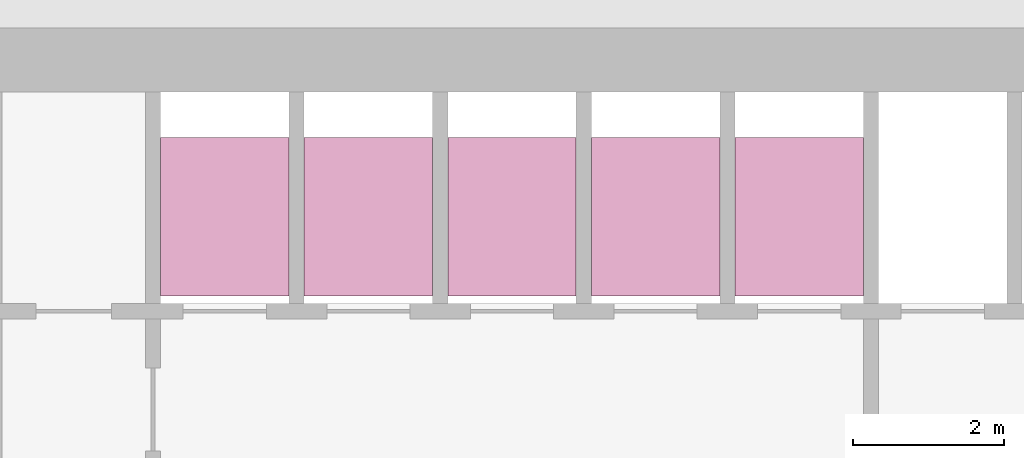
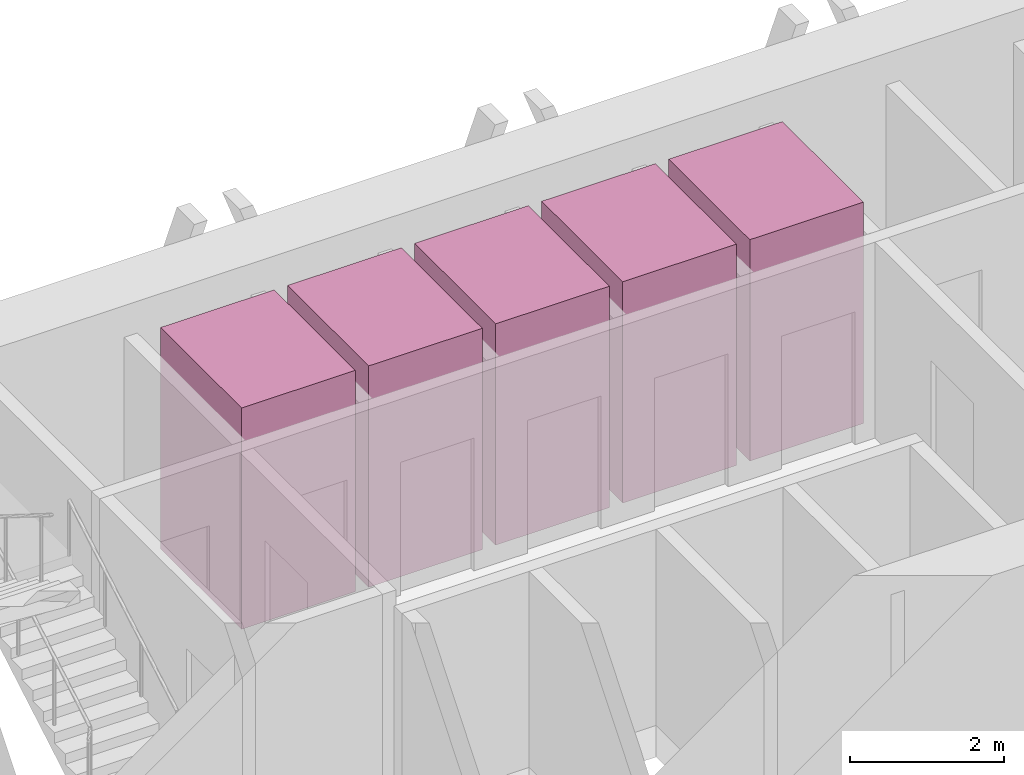
# One storey, part 23 of 23: 5 transport elements.
"""IFC4 building model written with IfcOpenShell, lengths in metres."""

import ifcopenshell
import ifcopenshell.guid

model = None  # the IFC model being written
_history = None  # IfcOwnerHistory: only IFC2X3 demands one
_inside = {}  # id of a spatial element -> (the spatial element, [elements in it])
_under = {}  # id of a project, library or spatial element -> (it, [spatial elements below it])
_declared = {}  # id of a project -> (the project, [libraries it declares])
_typed = {}  # id of a type object -> (the type object, [elements of that type])
_made_of = {}  # id of a material, layer set ... -> (it, [elements and type objects made of it])


def new_model(schema):
    """Start an empty IFC model of exactly this schema.

    Asked for "IFC4X3", IfcOpenShell would pick the latest addendum, in which some entities
    have other attributes; the version numbers below select the first issue.
    IFC2X3 requires an IfcOwnerHistory on every rooted entity: one is made here for all.
    """
    global model, _history
    if schema == "IFC4X3":
        model = ifcopenshell.file(schema_version=(4, 3, 0, 0))
    else:
        model = ifcopenshell.file(schema=schema)
    _inside.clear()
    _under.clear()
    _declared.clear()
    _typed.clear()
    _made_of.clear()
    _history = None
    if model.schema == "IFC2X3":
        org = make("IfcOrganization", Name="unknown")
        user = make(
            "IfcPersonAndOrganization",
            ThePerson=make("IfcPerson", FamilyName="unknown"),
            TheOrganization=org,
        )
        app = make(
            "IfcApplication",
            ApplicationDeveloper=org,
            Version="unknown",
            ApplicationFullName="unknown",
            ApplicationIdentifier="unknown",
        )
        _history = make(
            "IfcOwnerHistory",
            OwningUser=user,
            OwningApplication=app,
            ChangeAction="ADDED",
            CreationDate=0,
        )
    return model


def make(cls, **values):
    """One entity of the class cls with the attributes given. An attribute that is None is left unset."""
    return model.create_entity(
        cls, **{name: value for name, value in values.items() if value is not None}
    )


def rooted(cls, **values):
    """An entity with a GlobalId (a new one), such as an element, a storey or a relation."""
    return make(cls, GlobalId=ifcopenshell.guid.new(), OwnerHistory=_history, **values)


def si_unit(unit_type, name, prefix=None):
    """IfcSIUnit, for example si_unit("LENGTHUNIT", "METRE", prefix="MILLI")."""
    return make("IfcSIUnit", UnitType=unit_type, Prefix=prefix, Name=name)


def assignment(units):
    """IfcUnitAssignment: the units of a project."""
    return None if units is None else make("IfcUnitAssignment", Units=units)


def point(xyz):
    """IfcCartesianPoint."""
    return None if xyz is None else make("IfcCartesianPoint", Coordinates=xyz)


def direction(xyz):
    """IfcDirection."""
    return None if xyz is None else make("IfcDirection", DirectionRatios=xyz)


def frame(location, z_axis=None, x_axis=None):
    """IfcAxis2Placement3D, a coordinate frame: its origin and axes. An axis left out is left unset."""
    return make(
        "IfcAxis2Placement3D",
        Location=point(location),
        Axis=direction(z_axis),
        RefDirection=direction(x_axis),
    )


def frame_2d(location, x_axis=None):
    """IfcAxis2Placement2D, a coordinate frame in the plane: its origin and x axis."""
    return make(
        "IfcAxis2Placement2D", Location=point(location), RefDirection=direction(x_axis)
    )


def origin():
    """The frame at (0, 0, 0) with its axes left unset."""
    return frame((0.0, 0.0, 0.0))


def origin_2d():
    """The frame at (0, 0) in the plane with its x axis left unset."""
    return frame_2d((0.0, 0.0))


def place(relative_to, where):
    """IfcLocalPlacement: puts the frame where relative to a parent placement (None: the world)."""
    return make(
        "IfcLocalPlacement", PlacementRelTo=relative_to, RelativePlacement=where
    )


def context(
    kind, dimensions, precision=None, world=None, true_north=None, identifier=None
):
    """IfcGeometricRepresentationContext, for example the 3D "Model" context."""
    return make(
        "IfcGeometricRepresentationContext",
        ContextIdentifier=identifier,
        ContextType=kind,
        CoordinateSpaceDimension=dimensions,
        Precision=precision,
        WorldCoordinateSystem=world,
        TrueNorth=true_north,
    )


def subcontext(parent, identifier, kind, view, scale=None):
    """IfcGeometricRepresentationSubContext, for example "Body" below "Model"."""
    return make(
        "IfcGeometricRepresentationSubContext",
        ContextIdentifier=identifier,
        ContextType=kind,
        ParentContext=parent,
        TargetScale=scale,
        TargetView=view,
    )


def project(units=None, contexts=None):
    """IfcProject with its units and contexts."""
    return rooted(
        "IfcProject",
        Name="project",
        RepresentationContexts=contexts,
        UnitsInContext=assignment(units),
    )


def spatial(cls, under=None, at=None, **own):
    """A site, building, storey or space (cls), placed at a placement, below another one or the project."""
    s = rooted(cls, ObjectPlacement=at, **own)
    if under is not None:
        _under.setdefault(under.id(), (under, []))[1].append(s)
    return s


def profile(cls, at=None, kind="AREA", **sizes):
    """A parametric profile (cls). Its sizes go by their IFC names, for example OverallWidth=200.0."""
    return make(cls, ProfileType=kind, Position=at, **sizes)


def rectangle(**sizes):
    """IfcRectangleProfileDef."""
    return profile("IfcRectangleProfileDef", **sizes)


def extrude(swept, where, along, depth):
    """IfcExtrudedAreaSolid: the profile swept, set in the frame where, extruded along a direction by depth."""
    return make(
        "IfcExtrudedAreaSolid",
        SweptArea=swept,
        Position=where,
        ExtrudedDirection=direction(along),
        Depth=depth,
    )


def shape(context_of_items, identifier, shape_type, items):
    """IfcShapeRepresentation: the items that make up one representation, for example the "Body"."""
    return make(
        "IfcShapeRepresentation",
        ContextOfItems=context_of_items,
        RepresentationIdentifier=identifier,
        RepresentationType=shape_type,
        Items=items,
    )


def material(Name=None, Category=None):
    """IfcMaterial."""
    return make("IfcMaterial", Name=Name, Category=Category)


def made_of(thing, what):
    """Note that an element or type object is made of a material, layer set ...; save() writes the relation."""
    if what is not None:
        _made_of.setdefault(what.id(), (what, []))[1].append(thing)
    return thing


def type_object(cls, material=None, **own):
    """A type object (cls), such as IfcWallType, which elements share."""
    return made_of(rooted(cls, **own), material)


def element(
    cls,
    number,
    at=None,
    inside=None,
    cuts=None,
    type_object=None,
    material=None,
    context=None,
    identifier="Body",
    shape_type=None,
    held_by="IfcProductDefinitionShape",
    body=None,
    shapes=None,
    **own,
):
    """One element of the class cls, such as IfcWall. Its Tag is "e" and its number.

    at: its placement. inside: the storey or other place that contains it. cuts: it is an
    opening in that element (IfcRelVoidsElement). A single representation is given by context,
    identifier, shape_type and body (its items); several are given by shapes. held_by: the class
    of the entity that holds the representations. save() writes the other relations.
    """
    e = rooted(cls, Tag="e%d" % number, ObjectPlacement=at, **own)
    if body is not None:
        shapes = [shape(context, identifier, shape_type, body)]
    if shapes is not None:
        e.Representation = make(held_by, Representations=shapes)
    if inside is not None:
        _inside.setdefault(inside.id(), (inside, []))[1].append(e)
    if cuts is not None:
        rooted(
            "IfcRelVoidsElement", RelatingBuildingElement=cuts, RelatedOpeningElement=e
        )
    if type_object is not None:
        _typed.setdefault(type_object.id(), (type_object, []))[1].append(e)
    return made_of(e, material)


def aggregate(whole, parts):
    """IfcRelAggregates: a whole, such as a stair, and the parts it consists of."""
    return rooted("IfcRelAggregates", RelatingObject=whole, RelatedObjects=parts)


def save(model, path):
    """Write the relations noted so far, then the file.

    IfcRelAggregates (storeys below a building ...), IfcRelContainedInSpatialStructure (elements
    in a storey), IfcRelDefinesByType, IfcRelAssociatesMaterial and IfcRelDeclares: one each for
    every whole, place, type object, material and project.
    """
    for whole, parts in _under.values():
        aggregate(whole, parts)
    for where, things in _inside.values():
        rooted(
            "IfcRelContainedInSpatialStructure",
            RelatedElements=things,
            RelatingStructure=where,
        )
    for kind, things in _typed.values():
        rooted("IfcRelDefinesByType", RelatedObjects=things, RelatingType=kind)
    for what, things in _made_of.values():
        rooted("IfcRelAssociatesMaterial", RelatedObjects=things, RelatingMaterial=what)
    for by, libraries in _declared.values():
        rooted("IfcRelDeclares", RelatingContext=by, RelatedDefinitions=libraries)
    model.write(path)


model = new_model("IFC4")

# Units and contexts
model_context = context("Model", 3, precision=1e-05, world=origin(), true_north=direction((0.0, 1.0)))
body_context = subcontext(model_context, "Body", "Model", "MODEL_VIEW")
ifc_project = project(units=[si_unit("LENGTHUNIT", "METRE"), si_unit("AREAUNIT", "SQUARE_METRE"), si_unit("VOLUMEUNIT", "CUBIC_METRE"), si_unit("PLANEANGLEUNIT", "RADIAN"), si_unit("MASSUNIT", "GRAM", prefix="KILO")], contexts=[model_context])

# Site, building, storey
site_placement = place(None, origin())
site = spatial("IfcSite", under=ifc_project, at=site_placement, CompositionType="ELEMENT")
building_placement = place(site_placement, origin())
building = spatial("IfcBuilding", under=site, at=building_placement, Name="Altiplano Prism Tower", CompositionType="ELEMENT")
storey_placement = place(building_placement, frame((0.0, 0.0, 100.800048828125)))
storey = spatial("IfcBuildingStorey", under=building, at=storey_placement, Name="L25", CompositionType="ELEMENT", Elevation=100.800048828125)

# Transport elements
ifc_material = material(Name="Stainless steel lift car", Category="steel")
transport_element_type = type_object("IfcTransportElementType", Name="Passenger lift car 1600 x 2100", PredefinedType="ELEVATOR", material=ifc_material)
for number, where, z_axis, x_axis, name in (
    (1, (79.050048828125, 101.75, 0.050048828125), (0.0, 0.0, 1.0), (1.0, 0.0, 0.0), "Low Zone Passenger Lift 1"),
    (2, (80.949951171875, 101.75, 0.050048828125), (0.0, 0.0, 1.0), (1.0, 0.0, 0.0), "Low Zone Passenger Lift 2"),
    (3, (82.85009765625, 101.75, 0.050048828125), (0.0, 0.0, 1.0), (1.0, 0.0, 0.0), "Low Zone Passenger Lift 3"),
    (4, (84.75, 101.75, 0.050048828125), (0.0, 0.0, 1.0), (1.0, 0.0, 0.0), "Low Zone Passenger Lift 4"),
    (5, (86.64990234375, 101.75, 0.050048828125), (0.0, 0.0, 1.0), (1.0, 0.0, 0.0), "Low Zone Passenger Lift 5"),
):
    element("IfcTransportElement", number, at=place(storey_placement, frame(where, z_axis=z_axis, x_axis=x_axis)), inside=storey, type_object=transport_element_type, Name=name, PredefinedType="ELEVATOR", context=body_context, shape_type="SweptSolid", body=[
        extrude(rectangle(XDim=1.699951171875, YDim=2.10009765625, at=origin_2d()), origin(), (0.0, 0.0, 1.0), 3.5),
    ])

save(model, "model.ifc")
